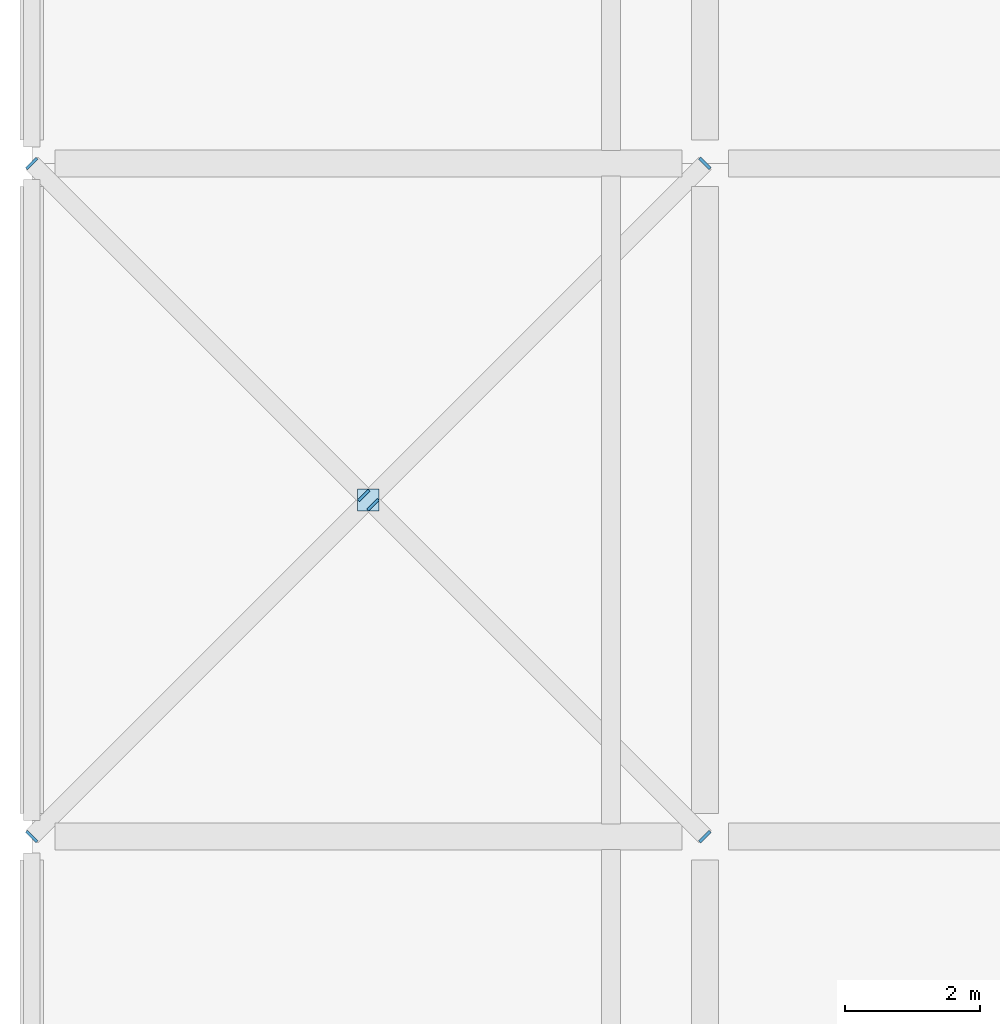
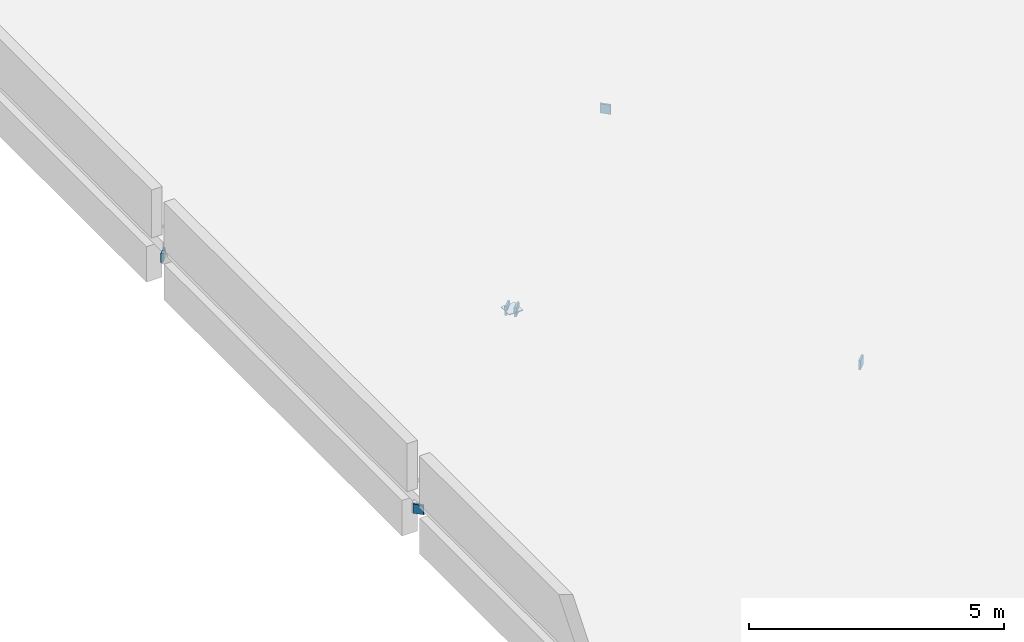
# One storey, part 19 of 39: 7 plates.
"""IFC4 building model written with IfcOpenShell, lengths in metres."""

from ifc_helpers import new_model, si_unit, direction, frame, origin, origin_2d, place, context, subcontext, project, spatial, rectangle, extrude, material, layer, layer_set, type_object, element, save


model = new_model("IFC4")

# Units and contexts
model_context = context("Model", 3, precision=1e-05, world=origin(), true_north=direction((0.0, 1.0)))
body_context = subcontext(model_context, "Body", "Model", "MODEL_VIEW")
ifc_project = project(units=[si_unit("LENGTHUNIT", "METRE"), si_unit("AREAUNIT", "SQUARE_METRE"), si_unit("VOLUMEUNIT", "CUBIC_METRE"), si_unit("PLANEANGLEUNIT", "RADIAN"), si_unit("MASSUNIT", "GRAM", prefix="KILO")], contexts=[model_context])

# Site, building, storey
site_placement = place(None, origin())
site = spatial("IfcSite", under=ifc_project, at=site_placement, CompositionType="ELEMENT")
building_placement = place(site_placement, origin())
building = spatial("IfcBuilding", under=site, at=building_placement, Name="Corvandel Quay Wholesale Market", CompositionType="ELEMENT")
storey_placement = place(building_placement, frame((0.0, 0.0, 15.0)))
storey = spatial("IfcBuildingStorey", under=building, at=storey_placement, Name="L03", CompositionType="ELEMENT", Elevation=15.0)

# Plates
ifc_material = material(Name="Steel A572 Grade 50", Category="steel")
ifc_layer_1 = layer(ifc_material, 0.044921875)
ifc_layer_set_1 = layer_set([ifc_layer_1], Name="Steel A572 Grade 50")
plate_type_1 = type_object("IfcPlateType", Name="Steel Brace End Cap Plate PLT02 45mm", PredefinedType="SHEET", material=ifc_layer_set_1)
for number, where, z_axis, x_axis, name in (
    (1, (20.00146484375, 60.00146484375, -0.41015625), (0.0, 0.0, 1.0), (-0.707106781187, 0.707106781187, 0.0), "HSS Cap Plate PLT-0156"),
    (2, (29.99853515625, 69.99853515625, -0.41015625), (0.0, 0.0, 1.0), (-0.707106781187, 0.707106781187, 0.0), "HSS Cap Plate PLT-0157"),
    (3, (29.99853515625, 60.00146484375, -0.41015625), (0.0, 0.0, 1.0), (0.707106781187, 0.707106781187, 0.0), "HSS Cap Plate PLT-0159"),
    (4, (25.068603515625, 64.931396484375, -0.41015625), (0.0, 0.0, 1.0), (0.707106781187, 0.707106781187, 0.0), "HSS Cap Plate PLT-0160"),
    (5, (24.931396484375, 65.068603515625, -0.41015625), (0.0, 0.0, 1.0), (0.707106781187, 0.707106781187, 0.0), "HSS Cap Plate PLT-0161"),
    (6, (20.00146484375, 69.99853515625, -0.41015625), (0.0, 0.0, 1.0), (0.707106781187, 0.707106781187, 0.0), "HSS Cap Plate PLT-0162"),
):
    element("IfcPlate", number, at=place(storey_placement, frame(where, z_axis=z_axis, x_axis=x_axis)), inside=storey, type_object=plate_type_1, Name=name, PredefinedType="SHEET", context=body_context, shape_type="SweptSolid", body=[
        extrude(rectangle(XDim=0.219970703125, YDim=0.044921875, at=origin_2d()), origin(), (0.0, 0.0, 1.0), 0.219970703125),
    ])
ifc_layer_2 = layer(ifc_material, 0.02001953125)
ifc_layer_set_2 = layer_set([ifc_layer_2], Name="Steel A572 Grade 50")
plate_type_2 = type_object("IfcPlateType", Name="Steel HSS End Cap Plate PLT01 20mm", PredefinedType="SHEET", material=ifc_layer_set_2)
plate_placement = place(storey_placement, frame((25.0, 65.0, -0.31005859375), z_axis=(0.0, 0.0, 1.0), x_axis=(1.0, 0.0, 0.0)))
element("IfcPlate", 7, at=plate_placement, inside=storey, type_object=plate_type_2, Name="X-Brace Node Gusset PLT-0158", PredefinedType="SHEET", context=body_context, shape_type="SweptSolid", body=[
    extrude(rectangle(XDim=0.320068359375, YDim=0.320068359375, at=origin_2d()), origin(), (0.0, 0.0, 1.0), 0.02001953125),
])

save(model, "model.ifc")
